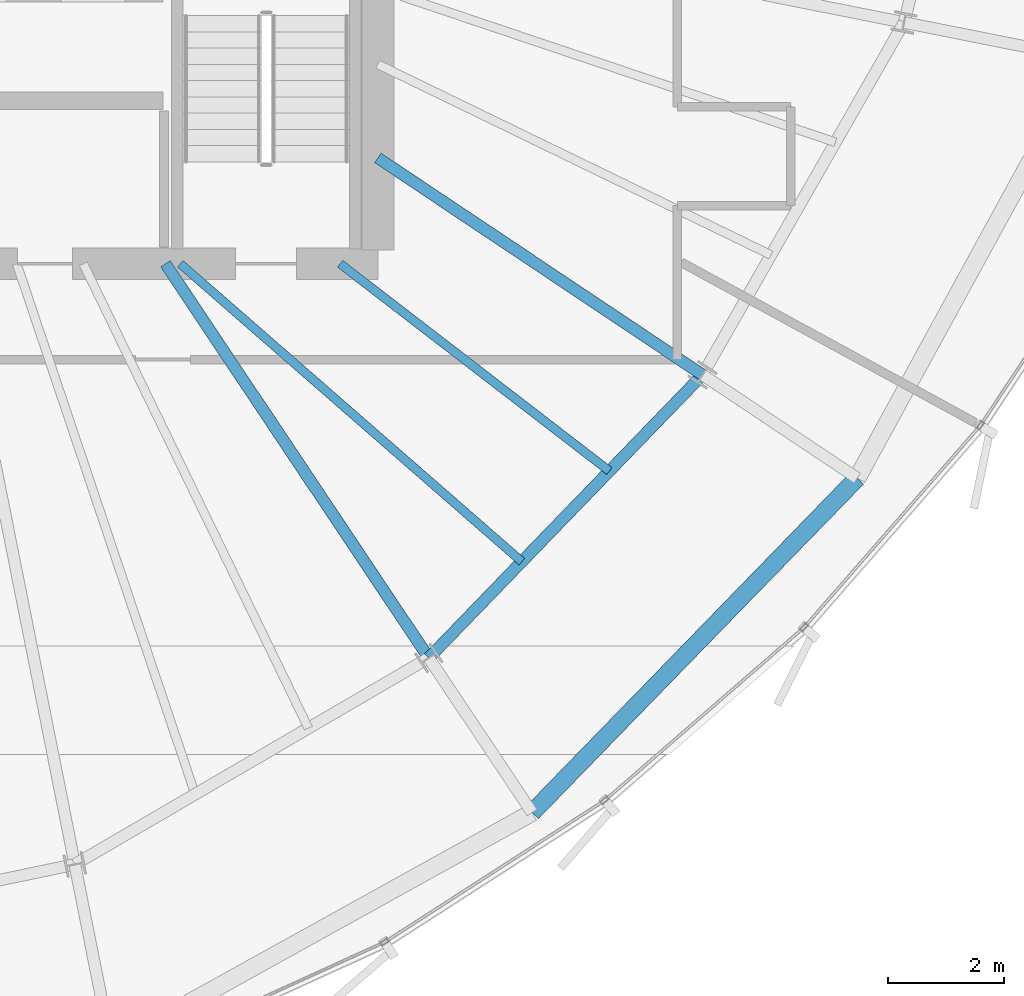
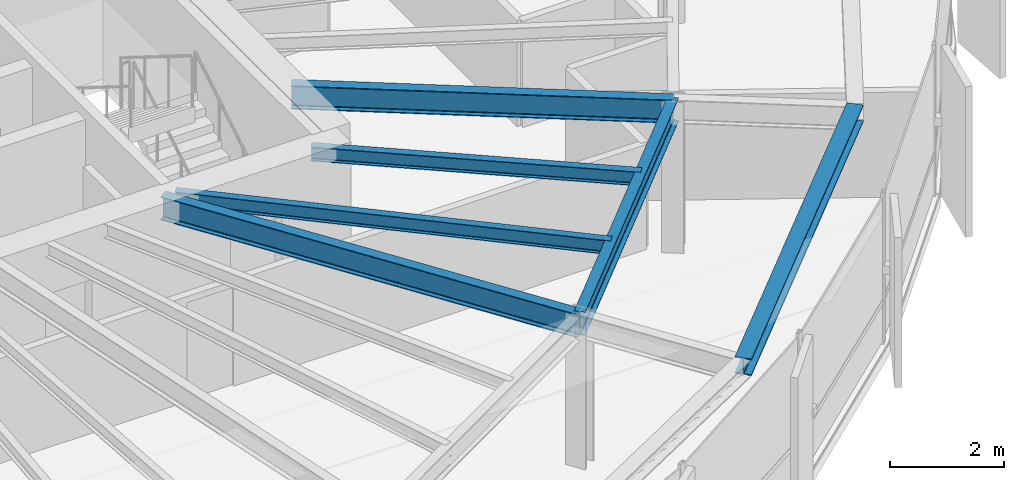
# One storey, part 14 of 34: 6 beams.
"""IFC4 building model written with IfcOpenShell, lengths in metres."""

from ifc_helpers import new_model, si_unit, direction, frame, origin, origin_2d, place, context, subcontext, project, spatial, i_section, extrude, source, transform, mapped, material, material_profile, profile_set, type_object, element, save


model = new_model("IFC4")

# Units and contexts
model_context = context("Model", 3, precision=1e-05, world=origin(), true_north=direction((0.0, 1.0)))
body_context = subcontext(model_context, "Body", "Model", "MODEL_VIEW")
ifc_project = project(units=[si_unit("LENGTHUNIT", "METRE"), si_unit("AREAUNIT", "SQUARE_METRE"), si_unit("VOLUMEUNIT", "CUBIC_METRE"), si_unit("PLANEANGLEUNIT", "RADIAN"), si_unit("MASSUNIT", "GRAM", prefix="KILO"), si_unit("THERMODYNAMICTEMPERATUREUNIT", "KELVIN")], contexts=[model_context])

# Site, building, storey
site_placement = place(None, origin())
site = spatial("IfcSite", under=ifc_project, at=site_placement, CompositionType="ELEMENT")
building_placement = place(site_placement, origin())
building = spatial("IfcBuilding", under=site, at=building_placement, Name="Kethvar Cultural Tower", CompositionType="ELEMENT")
storey_placement = place(building_placement, frame((0.0, 0.0, 183.39990234375)))
storey = spatial("IfcBuildingStorey", under=building, at=storey_placement, Name="L47", CompositionType="ELEMENT", Elevation=183.39990234375)

# Beams
ifc_material = material(Name="Steel S355J2", Category="steel")
ifc_material_profile_1 = material_profile(ifc_material, i_section(OverallWidth=0.199951171875, OverallDepth=0.5, WebThickness=0.01025390625, FlangeThickness=0.01611328125, FilletRadius=0.02099609375, at=origin_2d()), Name="Steel S355J2 — IPE500")
ifc_profile_set_1 = profile_set([ifc_material_profile_1], Name="Steel S355J2 — IPE500")
beam_type_1 = type_object("IfcBeamType", Name="BM-IPE500", PredefinedType="BEAM", material=ifc_profile_set_1)
shared_shape_1 = source(origin(), body_context, "Body", "SweptSolid", [
    extrude(i_section(OverallWidth=0.199951171875, OverallDepth=0.5, WebThickness=0.01025390625, FlangeThickness=0.01611328125, FilletRadius=0.02099609375, at=origin_2d()), origin(), (0.0, 0.0, 1.0), 8.1533203125),
])
beam_1_placement = place(storey_placement, frame((51.945068359375, 20.10009765625, 3.008056640625), z_axis=(0.555549853936, -0.831483228809, 0.0), x_axis=(0.831483228809, 0.555549853936, 0.0)))
element("IfcBeam", 1, at=beam_1_placement, inside=storey, type_object=beam_type_1, Name="L47 Primary Radial Beam RB-14", PredefinedType="BEAM", context=body_context, shape_type="MappedRepresentation", body=[
    mapped(shared_shape_1, transform((0.0, 0.0, 0.0), scale=1.0)),
])
shared_shape_2 = source(origin(), body_context, "Body", "SweptSolid", [
    extrude(i_section(OverallWidth=0.199951171875, OverallDepth=0.5, WebThickness=0.01025390625, FlangeThickness=0.01611328125, FilletRadius=0.02099609375, at=origin_2d()), origin(), (0.0, 0.0, 1.0), 6.7138671875),
])
beam_2_placement = place(storey_placement, frame((55.60009765625, 21.919921875, 3.008056640625), z_axis=(0.831479232731, -0.555555834762, 0.0), x_axis=(0.555555834762, 0.831479232731, 0.0)))
element("IfcBeam", 2, at=beam_2_placement, inside=storey, type_object=beam_type_1, Name="L47 Primary Radial Beam RB-15", PredefinedType="BEAM", context=body_context, shape_type="MappedRepresentation", body=[
    mapped(shared_shape_2, transform((0.0, 0.0, 0.0), scale=1.0)),
])
shared_shape_3 = source(origin(), body_context, "Body", "SweptSolid", [
    extrude(i_section(OverallWidth=0.199951171875, OverallDepth=0.5, WebThickness=0.01025390625, FlangeThickness=0.01611328125, FilletRadius=0.02099609375, at=origin_2d()), origin(), (0.0, 0.0, 1.0), 6.77294921875),
])
beam_3_placement = place(storey_placement, frame((56.474609375, 13.32080078125, 3.008056640625), z_axis=(0.695111533644, 0.718901909717, 0.0), x_axis=(-0.718901909717, 0.695111533644, 0.0)))
element("IfcBeam", 3, at=beam_3_placement, inside=storey, type_object=beam_type_1, Name="L47 Column Ring Tie Beam CR-14", PredefinedType="BEAM", context=body_context, shape_type="MappedRepresentation", body=[
    mapped(shared_shape_3, transform((0.0, 0.0, 0.0), scale=1.0)),
])
ifc_material_profile_2 = material_profile(ifc_material, i_section(OverallWidth=0.300048828125, OverallDepth=0.360107421875, WebThickness=0.012451171875, FlangeThickness=0.0224609375, FilletRadius=0.027099609375, at=origin_2d()), Name="Steel S355J2 — HEB360")
ifc_profile_set_2 = profile_set([ifc_material_profile_2], Name="Steel S355J2 — HEB360")
beam_type_2 = type_object("IfcBeamType", Name="BM-SP360", PredefinedType="SPANDREL", material=ifc_profile_set_2)
shared_shape_4 = source(origin(), body_context, "Body", "SweptSolid", [
    extrude(i_section(OverallWidth=0.300048828125, OverallDepth=0.360107421875, WebThickness=0.012451171875, FlangeThickness=0.0224609375, FilletRadius=0.027099609375, at=origin_2d()), origin(), (0.0, 0.0, 1.0), 8.021240234375),
])
beam_4_placement = place(storey_placement, frame((58.25244140625, 10.66015625, 3.078125), z_axis=(0.696991461782, 0.71707942531, 0.0), x_axis=(-0.71707942531, 0.696991461782, 0.0)))
element("IfcBeam", 4, at=beam_4_placement, inside=storey, type_object=beam_type_2, Name="L47 Perimeter Spandrel Beam SP-14", PredefinedType="SPANDREL", context=body_context, shape_type="MappedRepresentation", body=[
    mapped(shared_shape_4, transform((0.0, 0.0, 0.0), scale=1.0)),
])
ifc_material_profile_3 = material_profile(ifc_material, i_section(OverallWidth=0.14990234375, OverallDepth=0.300048828125, WebThickness=0.007080078125, FlangeThickness=0.0107421875, FilletRadius=0.014892578125, at=origin_2d()), Name="Steel S355J2 — IPE300")
ifc_profile_set_3 = profile_set([ifc_material_profile_3], Name="Steel S355J2 — IPE300")
beam_type_3 = type_object("IfcBeamType", Name="BM-J300", PredefinedType="JOIST", material=ifc_profile_set_3)
shared_shape_5 = source(origin(), body_context, "Body", "SweptSolid", [
    extrude(i_section(OverallWidth=0.14990234375, OverallDepth=0.300048828125, WebThickness=0.007080078125, FlangeThickness=0.0107421875, FilletRadius=0.014892578125, at=origin_2d()), origin(), (0.0, 0.0, 1.0), 7.7958984375),
])
beam_5_placement = place(storey_placement, frame((52.199951171875, 20.10009765625, 3.108154296875), z_axis=(0.753673681644, -0.657248797335, 0.0), x_axis=(0.657248797335, 0.753673681644, 0.0)))
element("IfcBeam", 5, at=beam_5_placement, inside=storey, type_object=beam_type_3, Name="L47 Composite Floor Joist J-14A", PredefinedType="JOIST", context=body_context, shape_type="MappedRepresentation", body=[
    mapped(shared_shape_5, transform((0.0, 0.0, 0.0), scale=1.0)),
])
shared_shape_6 = source(origin(), body_context, "Body", "SweptSolid", [
    extrude(i_section(OverallWidth=0.14990234375, OverallDepth=0.300048828125, WebThickness=0.007080078125, FlangeThickness=0.0107421875, FilletRadius=0.014892578125, at=origin_2d()), origin(), (0.0, 0.0, 1.0), 5.84521484375),
])
beam_6_placement = place(storey_placement, frame((54.949951171875, 20.10009765625, 3.108154296875), z_axis=(0.792398798307, -0.610003397073, 0.0), x_axis=(0.610003397073, 0.792398798307, 0.0)))
element("IfcBeam", 6, at=beam_6_placement, inside=storey, type_object=beam_type_3, Name="L47 Composite Floor Joist J-14B", PredefinedType="JOIST", context=body_context, shape_type="MappedRepresentation", body=[
    mapped(shared_shape_6, transform((0.0, 0.0, 0.0), scale=1.0)),
])

save(model, "model.ifc")
